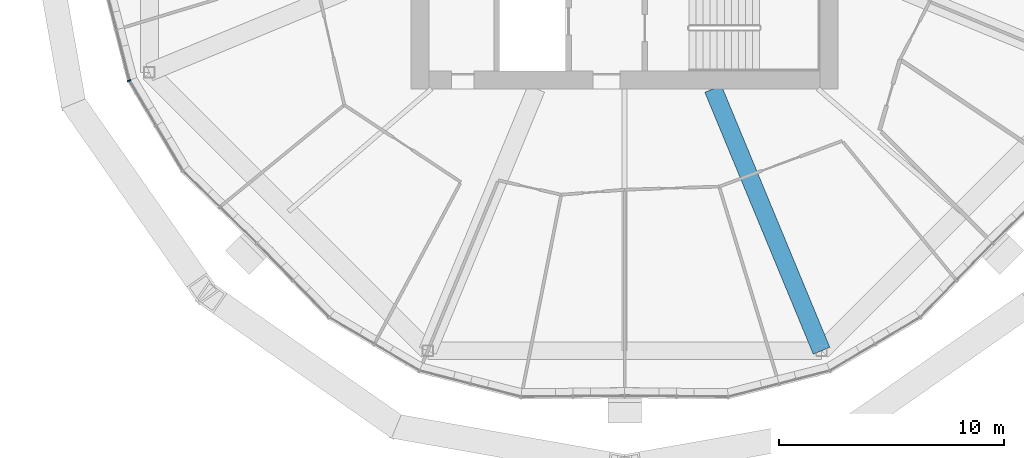
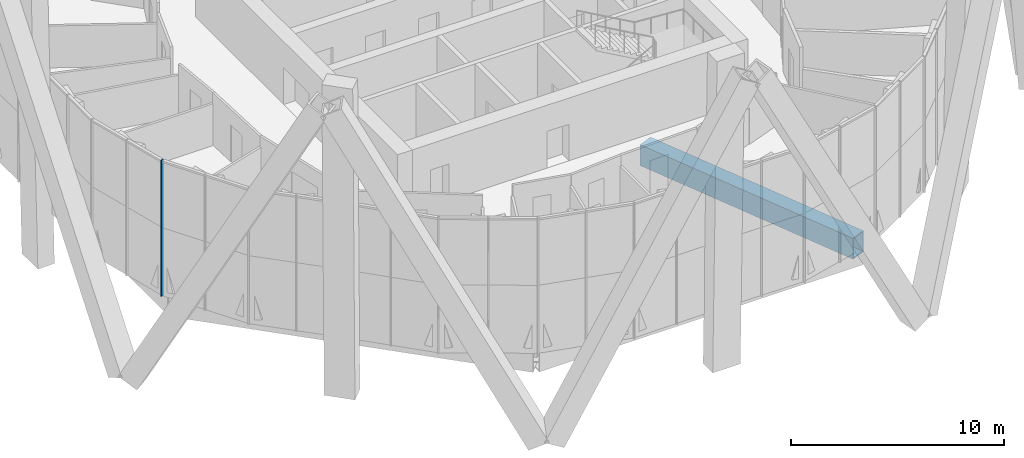
# One storey, part 4 of 31: 1 beam, 1 member, 1 element without a shape of its own.
"""IFC4 building model written with IfcOpenShell, lengths in metres."""

from ifc_helpers import new_model, si_unit, direction, frame, origin, origin_2d, place, context, subcontext, project, spatial, rectangle, hollow_rectangle, extrude, material, material_profile, profile_set, type_object, element, aggregate, save


model = new_model("IFC4")

# Units and contexts
model_context = context("Model", 3, precision=1e-05, world=origin(), true_north=direction((0.0, 1.0)))
body_context = subcontext(model_context, "Body", "Model", "MODEL_VIEW")
ifc_project = project(units=[si_unit("LENGTHUNIT", "METRE"), si_unit("AREAUNIT", "SQUARE_METRE"), si_unit("VOLUMEUNIT", "CUBIC_METRE"), si_unit("PLANEANGLEUNIT", "RADIAN"), si_unit("MASSUNIT", "GRAM", prefix="KILO")], contexts=[model_context])

# Site, building, storey
site_placement = place(None, origin())
site = spatial("IfcSite", under=ifc_project, at=site_placement, CompositionType="ELEMENT")
building_placement = place(site_placement, origin())
building = spatial("IfcBuilding", under=site, at=building_placement, Name="Ogive Gate Towers", CompositionType="ELEMENT")
storey_placement = place(building_placement, frame((0.0, 0.0, 55.800048828125)))
storey = spatial("IfcBuildingStorey", under=building, at=storey_placement, Name="L12", CompositionType="ELEMENT", Elevation=55.800048828125)

# Curtain wall, member
ifc_material_1 = material(Name="Pale metal aluminium", Category="aluminium")
curtain_wall_type = type_object("IfcCurtainWallType", Name="Tower unitised wall, low zone", PredefinedType="NOTDEFINED", material=ifc_material_1)
curtain_wall_placement = place(storey_placement, origin())
curtain_wall = element("IfcCurtainWall", 1, at=curtain_wall_placement, inside=storey, type_object=curtain_wall_type, Name="CW1 T1 ECW06", PredefinedType="NOTDEFINED")
ifc_material_profile_1 = material_profile(ifc_material_1, rectangle(XDim=0.159912109375, YDim=0.06005859375, at=origin_2d()), Name="60 x 160 aluminium box")
ifc_profile_set_1 = profile_set([ifc_material_profile_1], Name="Pale metal aluminium")
member_type = type_object("IfcMemberType", Name="Tower unitised wall, low zone mullion 60 x 160", PredefinedType="MULLION", material=ifc_profile_set_1)
member_placement = place(storey_placement, frame((-58.063232421875, -9.138916015625, -0.300048828125), z_axis=(0.0, 0.0, 1.0), x_axis=(0.923879532511, 0.382683432365, 0.0)))
member = element("IfcMember", 2, at=member_placement, type_object=member_type, Name="CW1 mullion", PredefinedType="MULLION", context=body_context, shape_type="SweptSolid", body=[
    extrude(rectangle(XDim=0.159912109375, YDim=0.06005859375, at=origin_2d()), origin(), (0.0, 0.0, 1.0), 7.800048828125),
])
aggregate(curtain_wall, [member])

# Beam
ifc_material_2 = material(Name="Steel SM460", Category="steel")
ifc_material_profile_2 = material_profile(ifc_material_2, hollow_rectangle(XDim=0.800048828125, YDim=1.199951171875, WallThickness=0.050048828125, at=origin_2d()), Name="BX 1200x800x50")
ifc_profile_set_2 = profile_set([ifc_material_profile_2], Name="Steel SM460")
beam_type = type_object("IfcBeamType", Name="Transfer radial beam BX 1200x800x50", PredefinedType="BEAM", material=ifc_profile_set_2)
beam_placement = place(storey_placement, frame((-32.06494140625, -9.5, -0.900146484375), z_axis=(0.382682759347, -0.923879811284, 0.0), x_axis=(0.923879811284, 0.382682759347, 0.0)))
element("IfcBeam", 3, at=beam_placement, inside=storey, type_object=beam_type, Name="T1/L12/SBM005", PredefinedType="BEAM", context=body_context, shape_type="SweptSolid", body=[
    extrude(hollow_rectangle(XDim=0.800048828125, YDim=1.199951171875, WallThickness=0.050048828125, at=origin_2d()), origin(), (0.0, 0.0, 1.0), 12.6171875),
])

save(model, "model.ifc")
